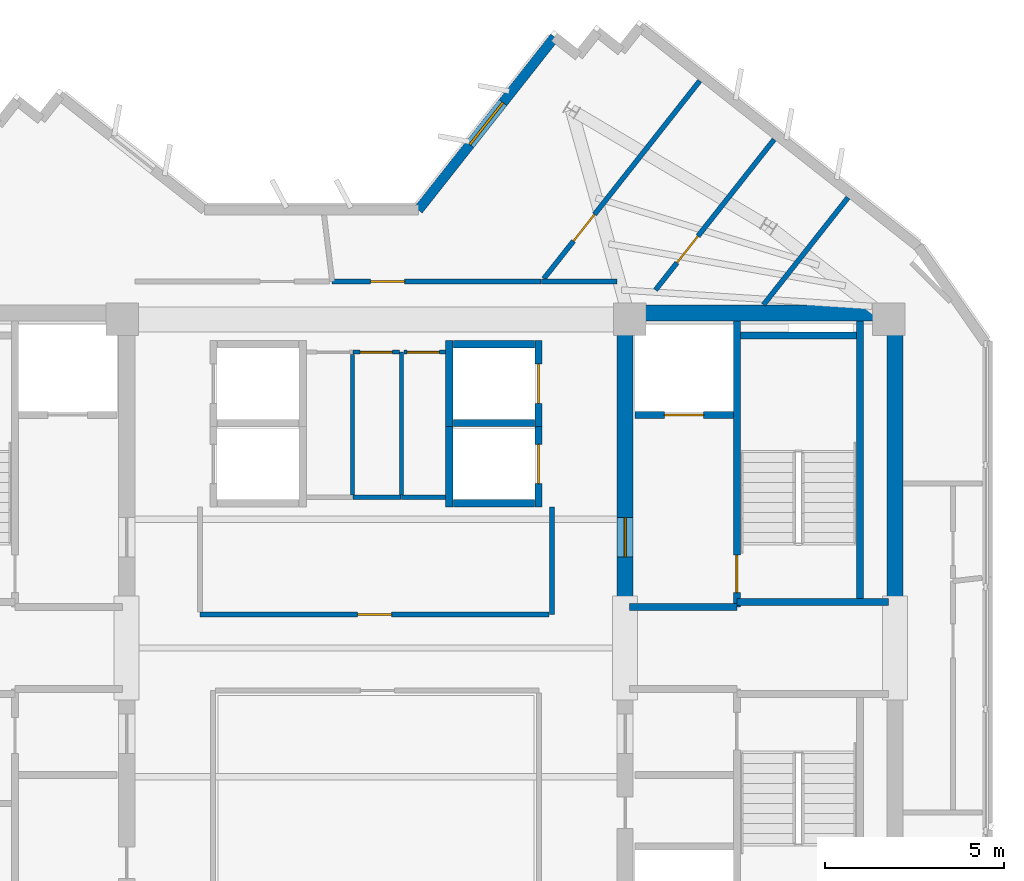
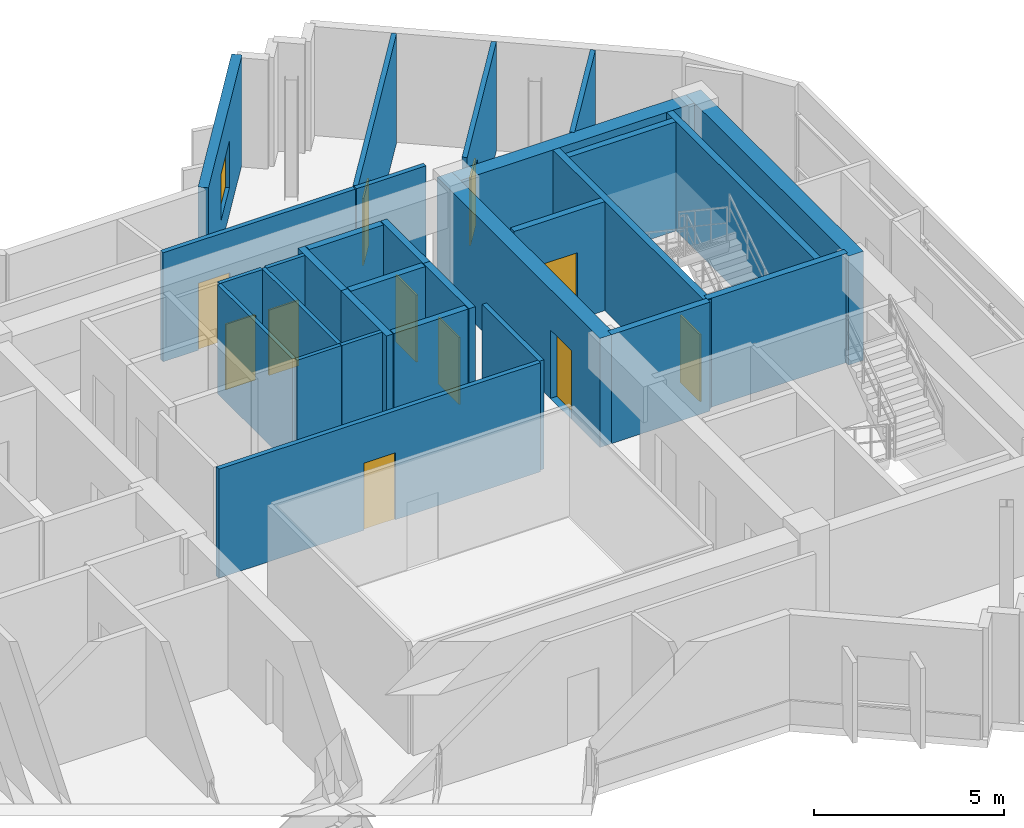
# One storey, part 7 of 10: 30 walls, 11 doors, 1 window, 12 openings.
"""IFC4 building model written with IfcOpenShell, lengths in metres."""

import ifcopenshell
import ifcopenshell.guid

model = None  # the IFC model being written
_history = None  # IfcOwnerHistory: only IFC2X3 demands one
_inside = {}  # id of a spatial element -> (the spatial element, [elements in it])
_under = {}  # id of a project, library or spatial element -> (it, [spatial elements below it])
_declared = {}  # id of a project -> (the project, [libraries it declares])
_typed = {}  # id of a type object -> (the type object, [elements of that type])
_made_of = {}  # id of a material, layer set ... -> (it, [elements and type objects made of it])


def new_model(schema):
    """Start an empty IFC model of exactly this schema.

    Asked for "IFC4X3", IfcOpenShell would pick the latest addendum, in which some entities
    have other attributes; the version numbers below select the first issue.
    IFC2X3 requires an IfcOwnerHistory on every rooted entity: one is made here for all.
    """
    global model, _history
    if schema == "IFC4X3":
        model = ifcopenshell.file(schema_version=(4, 3, 0, 0))
    else:
        model = ifcopenshell.file(schema=schema)
    _inside.clear()
    _under.clear()
    _declared.clear()
    _typed.clear()
    _made_of.clear()
    _history = None
    if model.schema == "IFC2X3":
        org = make("IfcOrganization", Name="unknown")
        user = make(
            "IfcPersonAndOrganization",
            ThePerson=make("IfcPerson", FamilyName="unknown"),
            TheOrganization=org,
        )
        app = make(
            "IfcApplication",
            ApplicationDeveloper=org,
            Version="unknown",
            ApplicationFullName="unknown",
            ApplicationIdentifier="unknown",
        )
        _history = make(
            "IfcOwnerHistory",
            OwningUser=user,
            OwningApplication=app,
            ChangeAction="ADDED",
            CreationDate=0,
        )
    return model


def make(cls, **values):
    """One entity of the class cls with the attributes given. An attribute that is None is left unset."""
    return model.create_entity(
        cls, **{name: value for name, value in values.items() if value is not None}
    )


def rooted(cls, **values):
    """An entity with a GlobalId (a new one), such as an element, a storey or a relation."""
    return make(cls, GlobalId=ifcopenshell.guid.new(), OwnerHistory=_history, **values)


def si_unit(unit_type, name, prefix=None):
    """IfcSIUnit, for example si_unit("LENGTHUNIT", "METRE", prefix="MILLI")."""
    return make("IfcSIUnit", UnitType=unit_type, Prefix=prefix, Name=name)


def assignment(units):
    """IfcUnitAssignment: the units of a project."""
    return None if units is None else make("IfcUnitAssignment", Units=units)


def point(xyz):
    """IfcCartesianPoint."""
    return None if xyz is None else make("IfcCartesianPoint", Coordinates=xyz)


def direction(xyz):
    """IfcDirection."""
    return None if xyz is None else make("IfcDirection", DirectionRatios=xyz)


def frame(location, z_axis=None, x_axis=None):
    """IfcAxis2Placement3D, a coordinate frame: its origin and axes. An axis left out is left unset."""
    return make(
        "IfcAxis2Placement3D",
        Location=point(location),
        Axis=direction(z_axis),
        RefDirection=direction(x_axis),
    )


def frame_2d(location, x_axis=None):
    """IfcAxis2Placement2D, a coordinate frame in the plane: its origin and x axis."""
    return make(
        "IfcAxis2Placement2D", Location=point(location), RefDirection=direction(x_axis)
    )


def origin():
    """The frame at (0, 0, 0) with its axes left unset."""
    return frame((0.0, 0.0, 0.0))


def place(relative_to, where):
    """IfcLocalPlacement: puts the frame where relative to a parent placement (None: the world)."""
    return make(
        "IfcLocalPlacement", PlacementRelTo=relative_to, RelativePlacement=where
    )


def context(
    kind, dimensions, precision=None, world=None, true_north=None, identifier=None
):
    """IfcGeometricRepresentationContext, for example the 3D "Model" context."""
    return make(
        "IfcGeometricRepresentationContext",
        ContextIdentifier=identifier,
        ContextType=kind,
        CoordinateSpaceDimension=dimensions,
        Precision=precision,
        WorldCoordinateSystem=world,
        TrueNorth=true_north,
    )


def subcontext(parent, identifier, kind, view, scale=None):
    """IfcGeometricRepresentationSubContext, for example "Body" below "Model"."""
    return make(
        "IfcGeometricRepresentationSubContext",
        ContextIdentifier=identifier,
        ContextType=kind,
        ParentContext=parent,
        TargetScale=scale,
        TargetView=view,
    )


def project(units=None, contexts=None):
    """IfcProject with its units and contexts."""
    return rooted(
        "IfcProject",
        Name="project",
        RepresentationContexts=contexts,
        UnitsInContext=assignment(units),
    )


def spatial(cls, under=None, at=None, **own):
    """A site, building, storey or space (cls), placed at a placement, below another one or the project."""
    s = rooted(cls, ObjectPlacement=at, **own)
    if under is not None:
        _under.setdefault(under.id(), (under, []))[1].append(s)
    return s


def profile(cls, at=None, kind="AREA", **sizes):
    """A parametric profile (cls). Its sizes go by their IFC names, for example OverallWidth=200.0."""
    return make(cls, ProfileType=kind, Position=at, **sizes)


def rectangle(**sizes):
    """IfcRectangleProfileDef."""
    return profile("IfcRectangleProfileDef", **sizes)


def extrude(swept, where, along, depth):
    """IfcExtrudedAreaSolid: the profile swept, set in the frame where, extruded along a direction by depth."""
    return make(
        "IfcExtrudedAreaSolid",
        SweptArea=swept,
        Position=where,
        ExtrudedDirection=direction(along),
        Depth=depth,
    )


def shape(context_of_items, identifier, shape_type, items):
    """IfcShapeRepresentation: the items that make up one representation, for example the "Body"."""
    return make(
        "IfcShapeRepresentation",
        ContextOfItems=context_of_items,
        RepresentationIdentifier=identifier,
        RepresentationType=shape_type,
        Items=items,
    )


def source(mapping_origin, context_of_items, identifier, shape_type, items):
    """IfcRepresentationMap: a shape defined once, which mapped items show again and again."""
    return make(
        "IfcRepresentationMap",
        MappingOrigin=mapping_origin,
        MappedRepresentation=shape(context_of_items, identifier, shape_type, items),
    )


def transform(
    local_origin,
    x_axis=None,
    y_axis=None,
    z_axis=None,
    scale=None,
    scale2=None,
    scale3=None,
    uniform=True,
):
    """IfcCartesianTransformationOperator3D, or its non-uniform kind. x_axis, y_axis, z_axis: its Axis1, 2, 3."""
    if uniform:
        return make(
            "IfcCartesianTransformationOperator3D",
            Axis1=direction(x_axis),
            Axis2=direction(y_axis),
            LocalOrigin=point(local_origin),
            Scale=scale,
            Axis3=direction(z_axis),
        )
    return make(
        "IfcCartesianTransformationOperator3DnonUniform",
        Axis1=direction(x_axis),
        Axis2=direction(y_axis),
        LocalOrigin=point(local_origin),
        Scale=scale,
        Axis3=direction(z_axis),
        Scale2=scale2,
        Scale3=scale3,
    )


def mapped(mapping_source, mapping_target):
    """IfcMappedItem: shows the shape of a source again, moved by a transform."""
    return make(
        "IfcMappedItem", MappingSource=mapping_source, MappingTarget=mapping_target
    )


def material(Name=None, Category=None):
    """IfcMaterial."""
    return make("IfcMaterial", Name=Name, Category=Category)


def layer(
    of_material, thickness, ventilated=None, Name=None, Category=None, Priority=None
):
    """IfcMaterialLayer: one layer of a wall or slab, of a material (None: an air gap)."""
    return make(
        "IfcMaterialLayer",
        Material=of_material,
        LayerThickness=thickness,
        IsVentilated=ventilated,
        Name=Name,
        Category=Category,
        Priority=Priority,
    )


def layer_set(layers, Name=None):
    """IfcMaterialLayerSet."""
    return make("IfcMaterialLayerSet", MaterialLayers=layers, LayerSetName=Name)


def made_of(thing, what):
    """Note that an element or type object is made of a material, layer set ...; save() writes the relation."""
    if what is not None:
        _made_of.setdefault(what.id(), (what, []))[1].append(thing)
    return thing


def type_object(cls, material=None, **own):
    """A type object (cls), such as IfcWallType, which elements share."""
    return made_of(rooted(cls, **own), material)


def element(
    cls,
    number,
    at=None,
    inside=None,
    cuts=None,
    type_object=None,
    material=None,
    context=None,
    identifier="Body",
    shape_type=None,
    held_by="IfcProductDefinitionShape",
    body=None,
    shapes=None,
    **own,
):
    """One element of the class cls, such as IfcWall. Its Tag is "e" and its number.

    at: its placement. inside: the storey or other place that contains it. cuts: it is an
    opening in that element (IfcRelVoidsElement). A single representation is given by context,
    identifier, shape_type and body (its items); several are given by shapes. held_by: the class
    of the entity that holds the representations. save() writes the other relations.
    """
    e = rooted(cls, Tag="e%d" % number, ObjectPlacement=at, **own)
    if body is not None:
        shapes = [shape(context, identifier, shape_type, body)]
    if shapes is not None:
        e.Representation = make(held_by, Representations=shapes)
    if inside is not None:
        _inside.setdefault(inside.id(), (inside, []))[1].append(e)
    if cuts is not None:
        rooted(
            "IfcRelVoidsElement", RelatingBuildingElement=cuts, RelatedOpeningElement=e
        )
    if type_object is not None:
        _typed.setdefault(type_object.id(), (type_object, []))[1].append(e)
    return made_of(e, material)


def fill(opening, filler):
    """IfcRelFillsElement: the door or window that sits in an opening."""
    return rooted(
        "IfcRelFillsElement",
        RelatingOpeningElement=opening,
        RelatedBuildingElement=filler,
    )


def aggregate(whole, parts):
    """IfcRelAggregates: a whole, such as a stair, and the parts it consists of."""
    return rooted("IfcRelAggregates", RelatingObject=whole, RelatedObjects=parts)


def save(model, path):
    """Write the relations noted so far, then the file.

    IfcRelAggregates (storeys below a building ...), IfcRelContainedInSpatialStructure (elements
    in a storey), IfcRelDefinesByType, IfcRelAssociatesMaterial and IfcRelDeclares: one each for
    every whole, place, type object, material and project.
    """
    for whole, parts in _under.values():
        aggregate(whole, parts)
    for where, things in _inside.values():
        rooted(
            "IfcRelContainedInSpatialStructure",
            RelatedElements=things,
            RelatingStructure=where,
        )
    for kind, things in _typed.values():
        rooted("IfcRelDefinesByType", RelatedObjects=things, RelatingType=kind)
    for what, things in _made_of.values():
        rooted("IfcRelAssociatesMaterial", RelatedObjects=things, RelatingMaterial=what)
    for by, libraries in _declared.values():
        rooted("IfcRelDeclares", RelatingContext=by, RelatedDefinitions=libraries)
    model.write(path)


model = new_model("IFC4")

# Units and contexts
model_context = context("Model", 3, precision=1e-05, world=origin(), true_north=direction((0.0, 1.0)))
body_context = subcontext(model_context, "Body", "Model", "MODEL_VIEW")
ifc_project = project(units=[si_unit("LENGTHUNIT", "METRE"), si_unit("AREAUNIT", "SQUARE_METRE"), si_unit("VOLUMEUNIT", "CUBIC_METRE"), si_unit("PLANEANGLEUNIT", "RADIAN"), si_unit("MASSUNIT", "GRAM", prefix="KILO")], contexts=[model_context])

# Site, building, storey
site_placement = place(None, origin())
site = spatial("IfcSite", under=ifc_project, at=site_placement, CompositionType="ELEMENT")
building_placement = place(site_placement, origin())
building = spatial("IfcBuilding", under=site, at=building_placement, Name="Zahravan Cultural Tower", CompositionType="ELEMENT")
storey_placement = place(building_placement, frame((0.0, 0.0, 327.300048828125)))
storey = spatial("IfcBuildingStorey", under=building, at=storey_placement, Name="L79", CompositionType="ELEMENT", Elevation=327.300048828125)

# Wall, opening, door
ifc_material_1 = material(Name="Concrete C50/60", Category="concrete")
ifc_layer_1 = layer(ifc_material_1, 0.449951171875)
ifc_layer_set_1 = layer_set([ifc_layer_1], Name="Concrete C50/60")
wall_type_1 = type_object("IfcWallType", Name="CW-SHEAR-450-C50", PredefinedType="SHEAR", material=ifc_layer_set_1)
wall_1_placement = place(storey_placement, frame((42.97509765625, 28.050048828125, 0.0), z_axis=(0.0, 0.0, 1.0), x_axis=(0.0, 1.0, 0.0)))
wall_1 = element("IfcWall", 1, at=wall_1_placement, inside=storey, type_object=wall_type_1, Name="L79 Core Shear Wall CW-E-WN-L79", PredefinedType="SHEAR", context=body_context, shape_type="SweptSolid", body=[
    extrude(rectangle(XDim=8.550048828125, YDim=0.449951171875, at=frame_2d((4.27490234375, 0.0))), origin(), (0.0, 0.0, 1.0), 3.5),
])
opening_1_placement = place(wall_1_placement, frame((1.5, 0.0, 0.0)))
opening_1 = element("IfcOpeningElement", 2, at=opening_1_placement, cuts=wall_1, Name="Opening D-L79-07", PredefinedType="OPENING", context=body_context, shape_type="SweptSolid", body=[
    extrude(rectangle(XDim=1.10009765625, YDim=2.199951171875, at=frame_2d((0.550048828125, 1.10009765625))), frame((0.0, 0.23486328125, 0.0), z_axis=(0.0, -1.0, 0.0), x_axis=(1.0, 0.0, 0.0)), (0.0, 0.0, 1.0), 0.469970703125),
])
ifc_material_2 = material(Name="Steel ASTM A572 Grade 50", Category="steel")
door_type_1 = type_object("IfcDoorType", Name="DR-LOBBY-1100", OperationType="NOTDEFINED", PredefinedType="DOOR", material=ifc_material_2)
shared_shape_1 = source(origin(), body_context, "Body", "SweptSolid", [
    extrude(rectangle(XDim=1.10009765625, YDim=2.199951171875, at=frame_2d((0.550048828125, 1.10009765625))), frame((0.0, 0.02490234375, 0.0), z_axis=(0.0, -1.0, 0.0), x_axis=(1.0, 0.0, 0.0)), (0.0, 0.0, 1.0), 0.050048828125),
])
door_1_placement = place(opening_1_placement, origin())
door_1 = element("IfcDoor", 3, at=door_1_placement, inside=storey, type_object=door_type_1, Name="L79 Door D-L79-07", OperationType="SINGLE_SWING_LEFT", OverallHeight=2.199951171875, OverallWidth=1.10009765625, PredefinedType="DOOR", context=body_context, shape_type="MappedRepresentation", body=[
    mapped(shared_shape_1, transform((0.0, 0.0, 0.0), x_axis=(1.0, 0.0, 0.0), y_axis=(0.0, 1.0, 0.0), z_axis=(0.0, 0.0, 1.0), scale=1.0)),
])
fill(opening_1, door_1)

# Wall, opening, window
ifc_material_3 = material(Name="Precast concrete C40/50", Category="concrete")
ifc_layer_2 = layer(ifc_material_3, 0.280029296875)
ifc_layer_set_2 = layer_set([ifc_layer_2], Name="Precast concrete C40/50")
wall_type_2 = type_object("IfcWallType", Name="EW-TC-280", PredefinedType="SOLIDWALL", material=ifc_layer_set_2)
wall_2_placement = place(storey_placement, frame((37.184326171875, 39.260009765625, 0.0), z_axis=(0.0, 0.0, 1.0), x_axis=(0.619100474058, 0.78531178714, 0.0)))
wall_2 = element("IfcWall", 4, at=wall_2_placement, inside=storey, type_object=wall_type_2, Name="L79 Exterior Masonry Frame Wall 09", PredefinedType="SOLIDWALL", context=body_context, shape_type="SweptSolid", body=[
    extrude(rectangle(XDim=6.158935546875, YDim=0.280029296875, at=frame_2d((3.07958984375, 0.0))), origin(), (0.0, 0.0, 1.0), 3.5),
])
opening_2_placement = place(wall_2_placement, frame((2.3291015625, 0.0, 0.85009765625)))
opening_2 = element("IfcOpeningElement", 5, at=opening_2_placement, cuts=wall_2, Name="Opening WN-03", PredefinedType="OPENING", context=body_context, shape_type="SweptSolid", body=[
    extrude(rectangle(XDim=1.5, YDim=1.5, at=frame_2d((0.75, 0.75))), frame((0.0, 0.14990234375, 0.0), z_axis=(0.0, -1.0, 0.0), x_axis=(1.0, 0.0, 0.0)), (0.0, 0.0, 1.0), 0.300048828125),
])
ifc_material_4 = material(Name="Low-E solar-control double glazing", Category="glass")
window_type = type_object("IfcWindowType", Name="WN-REC-1500X1500", PartitioningType="SINGLE_PANEL", PredefinedType="WINDOW", material=ifc_material_4)
shared_shape_2 = source(origin(), body_context, "Body", "SweptSolid", [
    extrude(rectangle(XDim=1.5, YDim=1.5, at=frame_2d((0.75, 0.75))), frame((0.0, 0.030029296875, 0.0), z_axis=(0.0, -1.0, 0.0), x_axis=(1.0, 0.0, 0.0)), (0.0, 0.0, 1.0), 0.06005859375),
])
window_placement = place(opening_2_placement, origin())
window = element("IfcWindow", 6, at=window_placement, inside=storey, type_object=window_type, Name="L79 Recessed Solar Window 04", OverallHeight=1.5, OverallWidth=1.5, PartitioningType="SINGLE_PANEL", PredefinedType="WINDOW", context=body_context, shape_type="MappedRepresentation", body=[
    mapped(shared_shape_2, transform((0.0, 0.0, 0.0), x_axis=(1.0, 0.0, 0.0), y_axis=(0.0, 1.0, 0.0), z_axis=(0.0, 0.0, 1.0), scale=1.0)),
])
fill(opening_2, window)

# Wall, opening, door
ifc_material_5 = material(Name="Gypsum plasterboard partition")
ifc_layer_3 = layer(ifc_material_5, 0.139892578125)
ifc_layer_set_3 = layer_set([ifc_layer_3], Name="Gypsum plasterboard partition")
wall_type_3 = type_object("IfcWallType", Name="W-PART-140", PredefinedType="PARTITIONING", material=ifc_layer_set_3)
wall_3_placement = place(storey_placement, frame((43.82275390625, 37.02001953125, 0.0), z_axis=(0.0, 0.0, 1.0), x_axis=(0.619105408422, 0.785307897109, 0.0)))
wall_3 = element("IfcWall", 7, at=wall_3_placement, inside=storey, type_object=wall_type_3, Name="L79 Interior Wall 050", PredefinedType="PARTITIONING", context=body_context, shape_type="SweptSolid", body=[
    extrude(rectangle(XDim=5.363037109375, YDim=0.139892578125, at=frame_2d((2.681640625, 0.0))), origin(), (0.0, 0.0, 1.0), 3.5),
])
opening_3_placement = place(wall_3_placement, frame((0.970947265625, 0.0, 0.0)))
opening_3 = element("IfcOpeningElement", 8, at=opening_3_placement, cuts=wall_3, Name="Opening D-L79-26", PredefinedType="OPENING", context=body_context, shape_type="SweptSolid", body=[
    extrude(rectangle(XDim=0.949951171875, YDim=2.14990234375, at=frame_2d((0.47509765625, 1.074951171875))), frame((0.0, 0.079833984375, 0.0), z_axis=(0.0, -1.0, 0.0), x_axis=(1.0, 0.0, 0.0)), (0.0, 0.0, 1.0), 0.159912109375),
])
ifc_material_6 = material(Name="Anodised bronze-aluminium mullion", Category="aluminium")
door_type_2 = type_object("IfcDoorType", Name="DR-ROOM-950", OperationType="NOTDEFINED", PredefinedType="DOOR", material=ifc_material_6)
shared_shape_3 = source(origin(), body_context, "Body", "SweptSolid", [
    extrude(rectangle(XDim=0.949951171875, YDim=2.14990234375, at=frame_2d((0.47509765625, 1.074951171875))), frame((0.0, 0.02490234375, 0.0), z_axis=(0.0, -1.0, 0.0), x_axis=(1.0, 0.0, 0.0)), (0.0, 0.0, 1.0), 0.050048828125),
])
door_2_placement = place(opening_3_placement, origin())
door_2 = element("IfcDoor", 9, at=door_2_placement, inside=storey, type_object=door_type_2, Name="L79 Door D-L79-26", OperationType="SINGLE_SWING_RIGHT", OverallHeight=2.14990234375, OverallWidth=0.949951171875, PredefinedType="DOOR", context=body_context, shape_type="MappedRepresentation", body=[
    mapped(shared_shape_3, transform((0.0, 0.0, 0.0), x_axis=(1.0, 0.0, 0.0), y_axis=(0.0, 1.0, 0.0), z_axis=(0.0, 0.0, 1.0), scale=1.0)),
])
fill(opening_3, door_2)

wall_4_placement = place(storey_placement, frame((40.69677734375, 37.335205078125, 0.0), z_axis=(0.0, 0.0, 1.0), x_axis=(0.619105259882, 0.785308014213, 0.0)))
wall_4 = element("IfcWall", 10, at=wall_4_placement, inside=storey, type_object=wall_type_3, Name="L79 Interior Wall 054", PredefinedType="PARTITIONING", context=body_context, shape_type="SweptSolid", body=[
    extrude(rectangle(XDim=7.05078125, YDim=0.139892578125, at=frame_2d((3.525390625, 0.0))), origin(), (0.0, 0.0, 1.0), 3.5),
])
opening_4_placement = place(wall_4_placement, frame((1.34228515625, 0.0, 0.0)))
opening_4 = element("IfcOpeningElement", 11, at=opening_4_placement, cuts=wall_4, Name="Opening D-L79-24", PredefinedType="OPENING", context=body_context, shape_type="SweptSolid", body=[
    extrude(rectangle(XDim=0.949951171875, YDim=2.14990234375, at=frame_2d((0.47509765625, 1.074951171875))), frame((0.0, 0.079833984375, 0.0), z_axis=(0.0, -1.0, 0.0), x_axis=(1.0, 0.0, 0.0)), (0.0, 0.0, 1.0), 0.159912109375),
])
door_3_placement = place(opening_4_placement, origin())
door_3 = element("IfcDoor", 12, at=door_3_placement, inside=storey, type_object=door_type_2, Name="L79 Door D-L79-24", OperationType="SINGLE_SWING_RIGHT", OverallHeight=2.14990234375, OverallWidth=0.949951171875, PredefinedType="DOOR", context=body_context, shape_type="MappedRepresentation", body=[
    mapped(shared_shape_3, transform((0.0, 0.0, 0.0), x_axis=(1.0, 0.0, 0.0), y_axis=(0.0, 1.0, 0.0), z_axis=(0.0, 0.0, 1.0), scale=1.0)),
])
fill(opening_4, door_3)

wall_5_placement = place(storey_placement, frame((40.844970703125, 27.93994140625, 0.0), z_axis=(0.0, 0.0, 1.0), x_axis=(-1.0, 0.0, 0.0)))
wall_5 = element("IfcWall", 13, at=wall_5_placement, inside=storey, type_object=wall_type_3, Name="L79 Interior Wall 074", PredefinedType="PARTITIONING", context=body_context, shape_type="SweptSolid", body=[
    extrude(rectangle(XDim=9.764892578125, YDim=0.139892578125, at=frame_2d((4.88232421875, 0.0))), origin(), (0.0, 0.0, 1.0), 3.5),
])
opening_5_placement = place(wall_5_placement, frame((4.407470703125, 0.0, 0.0)))
opening_5 = element("IfcOpeningElement", 14, at=opening_5_placement, cuts=wall_5, Name="Opening D-L79-16", PredefinedType="OPENING", context=body_context, shape_type="SweptSolid", body=[
    extrude(rectangle(XDim=0.949951171875, YDim=2.14990234375, at=frame_2d((0.47509765625, 1.074951171875))), frame((0.0, 0.079833984375, 0.0), z_axis=(0.0, -1.0, 0.0), x_axis=(1.0, 0.0, 0.0)), (0.0, 0.0, 1.0), 0.159912109375),
])
door_4_placement = place(opening_5_placement, origin())
door_4 = element("IfcDoor", 15, at=door_4_placement, inside=storey, type_object=door_type_2, Name="L79 Door D-L79-16", OperationType="SINGLE_SWING_RIGHT", OverallHeight=2.14990234375, OverallWidth=0.949951171875, PredefinedType="DOOR", context=body_context, shape_type="MappedRepresentation", body=[
    mapped(shared_shape_3, transform((0.0, 0.0, 0.0), x_axis=(1.0, 0.0, 0.0), y_axis=(0.0, 1.0, 0.0), z_axis=(0.0, 0.0, 1.0), scale=1.0)),
])
fill(opening_5, door_4)

wall_6_placement = place(storey_placement, frame((40.612060546875, 37.260009765625, 0.0), z_axis=(0.0, 0.0, 1.0), x_axis=(-1.0, 0.0, 0.0)))
wall_6 = element("IfcWall", 16, at=wall_6_placement, inside=storey, type_object=wall_type_3, Name="L79 Interior Wall 076", PredefinedType="PARTITIONING", context=body_context, shape_type="SweptSolid", body=[
    extrude(rectangle(XDim=5.836669921875, YDim=0.139892578125, at=frame_2d((2.91845703125, 0.0))), origin(), (0.0, 0.0, 1.0), 3.5),
])
opening_6_placement = place(wall_6_placement, frame((3.8115234375, 0.0, 0.0)))
opening_6 = element("IfcOpeningElement", 17, at=opening_6_placement, cuts=wall_6, Name="Opening D-L79-18", PredefinedType="OPENING", context=body_context, shape_type="SweptSolid", body=[
    extrude(rectangle(XDim=0.949951171875, YDim=2.14990234375, at=frame_2d((0.47509765625, 1.074951171875))), frame((0.0, 0.079833984375, 0.0), z_axis=(0.0, -1.0, 0.0), x_axis=(1.0, 0.0, 0.0)), (0.0, 0.0, 1.0), 0.159912109375),
])
door_5_placement = place(opening_6_placement, origin())
door_5 = element("IfcDoor", 18, at=door_5_placement, inside=storey, type_object=door_type_2, Name="L79 Door D-L79-18", OperationType="SINGLE_SWING_RIGHT", OverallHeight=2.14990234375, OverallWidth=0.949951171875, PredefinedType="DOOR", context=body_context, shape_type="MappedRepresentation", body=[
    mapped(shared_shape_3, transform((0.0, 0.0, 0.0), x_axis=(1.0, 0.0, 0.0), y_axis=(0.0, 1.0, 0.0), z_axis=(0.0, 0.0, 1.0), scale=1.0)),
])
fill(opening_6, door_5)

ifc_material_7 = material(Name="Concrete C45/55", Category="concrete")
ifc_layer_4 = layer(ifc_material_7, 0.199951171875)
ifc_layer_set_4 = layer_set([ifc_layer_4], Name="Concrete C45/55")
wall_type_4 = type_object("IfcWallType", Name="W-SHAFT-200", PredefinedType="SOLIDWALL", material=ifc_layer_set_4)
wall_7_placement = place(storey_placement, frame((46.10009765625, 28.14990234375, 0.0), z_axis=(0.0, 0.0, 1.0), x_axis=(0.0, 1.0, 0.0)))
wall_7 = element("IfcWall", 19, at=wall_7_placement, inside=storey, type_object=wall_type_4, Name="L79 Interior Wall 008", PredefinedType="SOLIDWALL", context=body_context, shape_type="SweptSolid", body=[
    extrude(rectangle(XDim=8.0, YDim=0.199951171875, at=frame_2d((4.0, 0.0))), origin(), (0.0, 0.0, 1.0), 3.5),
])
opening_7_placement = place(wall_7_placement, frame((0.39990234375, 0.0, 0.0)))
opening_7 = element("IfcOpeningElement", 20, at=opening_7_placement, cuts=wall_7, Name="Opening D-L79-02", PredefinedType="OPENING", context=body_context, shape_type="SweptSolid", body=[
    extrude(rectangle(XDim=1.050048828125, YDim=2.14990234375, at=frame_2d((0.52490234375, 1.074951171875))), frame((0.0, 0.10986328125, 0.0), z_axis=(0.0, -1.0, 0.0), x_axis=(1.0, 0.0, 0.0)), (0.0, 0.0, 1.0), 0.219970703125),
])
door_type_3 = type_object("IfcDoorType", Name="DR-STAIR-1050", OperationType="NOTDEFINED", PredefinedType="DOOR", material=ifc_material_2)
shared_shape_4 = source(origin(), body_context, "Body", "SweptSolid", [
    extrude(rectangle(XDim=1.050048828125, YDim=2.14990234375, at=frame_2d((0.52490234375, 1.074951171875))), frame((0.0, 0.02490234375, 0.0), z_axis=(0.0, -1.0, 0.0), x_axis=(1.0, 0.0, 0.0)), (0.0, 0.0, 1.0), 0.050048828125),
])
door_6_placement = place(opening_7_placement, origin())
door_6 = element("IfcDoor", 21, at=door_6_placement, inside=storey, type_object=door_type_3, Name="L79 Door D-L79-02", OperationType="SINGLE_SWING_RIGHT", OverallHeight=2.14990234375, OverallWidth=1.050048828125, PredefinedType="DOOR", context=body_context, shape_type="MappedRepresentation", body=[
    mapped(shared_shape_4, transform((0.0, 0.0, 0.0), x_axis=(1.0, 0.0, 0.0), y_axis=(0.0, 1.0, 0.0), z_axis=(0.0, 0.0, 1.0), scale=1.0)),
])
fill(opening_7, door_6)

wall_8_placement = place(storey_placement, frame((43.25, 33.52001953125, 0.0), z_axis=(0.0, 0.0, 1.0), x_axis=(1.0, 0.0, 0.0)))
wall_8 = element("IfcWall", 22, at=wall_8_placement, inside=storey, type_object=wall_type_4, Name="L79 Interior Wall 023", PredefinedType="SOLIDWALL", context=body_context, shape_type="SweptSolid", body=[
    extrude(rectangle(XDim=2.75, YDim=0.199951171875, at=frame_2d((1.375, 0.0))), origin(), (0.0, 0.0, 1.0), 3.5),
])
opening_8_placement = place(wall_8_placement, frame((0.820068359375, 0.0, 0.0)))
opening_8 = element("IfcOpeningElement", 23, at=opening_8_placement, cuts=wall_8, Name="Opening LD-L79-02", PredefinedType="OPENING", context=body_context, shape_type="SweptSolid", body=[
    extrude(rectangle(XDim=1.10009765625, YDim=2.14990234375, at=frame_2d((0.550048828125, 1.074951171875))), frame((0.0, 0.10986328125, 0.0), z_axis=(0.0, -1.0, 0.0), x_axis=(1.0, 0.0, 0.0)), (0.0, 0.0, 1.0), 0.219970703125),
])
door_type_4 = type_object("IfcDoorType", Name="DR-LIFT-1100", OperationType="DOUBLE_DOOR_SLIDING", PredefinedType="DOOR", material=ifc_material_2)
shared_shape_5 = source(origin(), body_context, "Body", "SweptSolid", [
    extrude(rectangle(XDim=1.10009765625, YDim=2.14990234375, at=frame_2d((0.550048828125, 1.074951171875))), frame((0.0, 0.02490234375, 0.0), z_axis=(0.0, -1.0, 0.0), x_axis=(1.0, 0.0, 0.0)), (0.0, 0.0, 1.0), 0.050048828125),
])
door_7_placement = place(opening_8_placement, origin())
door_7 = element("IfcDoor", 24, at=door_7_placement, inside=storey, type_object=door_type_4, Name="L79 Door LD-L79-02", OperationType="DOUBLE_DOOR_SLIDING", OverallHeight=2.14990234375, OverallWidth=1.10009765625, PredefinedType="DOOR", context=body_context, shape_type="MappedRepresentation", body=[
    mapped(shared_shape_5, transform((0.0, 0.0, 0.0), x_axis=(1.0, 0.0, 0.0), y_axis=(0.0, 1.0, 0.0), z_axis=(0.0, 0.0, 1.0), scale=1.0)),
])
fill(opening_8, door_7)

wall_9_placement = place(storey_placement, frame((40.550048828125, 33.199951171875, 0.0), z_axis=(0.0, 0.0, 1.0), x_axis=(0.0, 1.0, 0.0)))
wall_9 = element("IfcWall", 25, at=wall_9_placement, inside=storey, type_object=wall_type_4, Name="L79 Interior Wall 035", PredefinedType="SOLIDWALL", context=body_context, shape_type="SweptSolid", body=[
    extrude(rectangle(XDim=2.400146484375, YDim=0.199951171875, at=frame_2d((1.2001953125, 0.0))), origin(), (0.0, 0.0, 1.0), 3.5),
])
opening_9_placement = place(wall_9_placement, frame((0.64990234375, 0.0, 0.0)))
opening_9 = element("IfcOpeningElement", 26, at=opening_9_placement, cuts=wall_9, Name="Opening LD-L79-06", PredefinedType="OPENING", context=body_context, shape_type="SweptSolid", body=[
    extrude(rectangle(XDim=1.10009765625, YDim=2.14990234375, at=frame_2d((0.550048828125, 1.074951171875))), frame((0.0, 0.10986328125, 0.0), z_axis=(0.0, -1.0, 0.0), x_axis=(1.0, 0.0, 0.0)), (0.0, 0.0, 1.0), 0.219970703125),
])
door_8_placement = place(opening_9_placement, origin())
door_8 = element("IfcDoor", 27, at=door_8_placement, inside=storey, type_object=door_type_4, Name="L79 Door LD-L79-06", OperationType="DOUBLE_DOOR_SLIDING", OverallHeight=2.14990234375, OverallWidth=1.10009765625, PredefinedType="DOOR", context=body_context, shape_type="MappedRepresentation", body=[
    mapped(shared_shape_5, transform((0.0, 0.0, 0.0), x_axis=(1.0, 0.0, 0.0), y_axis=(0.0, 1.0, 0.0), z_axis=(0.0, 0.0, 1.0), scale=1.0)),
])
fill(opening_9, door_8)

wall_10_placement = place(storey_placement, frame((40.550048828125, 30.949951171875, 0.0), z_axis=(0.0, 0.0, 1.0), x_axis=(0.0, 1.0, 0.0)))
wall_10 = element("IfcWall", 28, at=wall_10_placement, inside=storey, type_object=wall_type_4, Name="L79 Interior Wall 039", PredefinedType="SOLIDWALL", context=body_context, shape_type="SweptSolid", body=[
    extrude(rectangle(XDim=2.400146484375, YDim=0.199951171875, at=frame_2d((1.2001953125, 0.0))), origin(), (0.0, 0.0, 1.0), 3.5),
])
opening_10_placement = place(wall_10_placement, frame((0.64990234375, 0.0, 0.0)))
opening_10 = element("IfcOpeningElement", 29, at=opening_10_placement, cuts=wall_10, Name="Opening LD-L79-07", PredefinedType="OPENING", context=body_context, shape_type="SweptSolid", body=[
    extrude(rectangle(XDim=1.10009765625, YDim=2.14990234375, at=frame_2d((0.550048828125, 1.074951171875))), frame((0.0, 0.10986328125, 0.0), z_axis=(0.0, -1.0, 0.0), x_axis=(1.0, 0.0, 0.0)), (0.0, 0.0, 1.0), 0.219970703125),
])
door_9_placement = place(opening_10_placement, origin())
door_9 = element("IfcDoor", 30, at=door_9_placement, inside=storey, type_object=door_type_4, Name="L79 Door LD-L79-07", OperationType="DOUBLE_DOOR_SLIDING", OverallHeight=2.14990234375, OverallWidth=1.10009765625, PredefinedType="DOOR", context=body_context, shape_type="MappedRepresentation", body=[
    mapped(shared_shape_5, transform((0.0, 0.0, 0.0), x_axis=(1.0, 0.0, 0.0), y_axis=(0.0, 1.0, 0.0), z_axis=(0.0, 0.0, 1.0), scale=1.0)),
])
fill(opening_10, door_9)

ifc_layer_5 = layer(ifc_material_5, 0.114990234375)
ifc_layer_set_5 = layer_set([ifc_layer_5], Name="Gypsum plasterboard partition")
wall_type_5 = type_object("IfcWallType", Name="W-WC-115", PredefinedType="PARTITIONING", material=ifc_layer_set_5)
wall_11_placement = place(storey_placement, frame((36.782470703125, 35.280029296875, 0.0), z_axis=(0.0, 0.0, 1.0), x_axis=(1.0, 0.0, 0.0)))
wall_11 = element("IfcWall", 31, at=wall_11_placement, inside=storey, type_object=wall_type_5, Name="L79 Interior Wall 043", PredefinedType="PARTITIONING", context=body_context, shape_type="SweptSolid", body=[
    extrude(rectangle(XDim=1.16259765625, YDim=0.114990234375, at=frame_2d((0.581298828125, 0.0))), origin(), (0.0, 0.0, 1.0), 3.5),
])
opening_11_placement = place(wall_11_placement, frame((0.0888671875, 0.0, 0.0)))
opening_11 = element("IfcOpeningElement", 32, at=opening_11_placement, cuts=wall_11, Name="Opening D-L79-15", PredefinedType="OPENING", context=body_context, shape_type="SweptSolid", body=[
    extrude(rectangle(XDim=0.89990234375, YDim=2.10009765625, at=frame_2d((0.449951171875, 1.050048828125))), frame((0.0, 0.0673828125, 0.0), z_axis=(0.0, -1.0, 0.0), x_axis=(1.0, 0.0, 0.0)), (0.0, 0.0, 1.0), 0.135009765625),
])
door_type_5 = type_object("IfcDoorType", Name="DR-WC-900", OperationType="NOTDEFINED", PredefinedType="DOOR", material=ifc_material_6)
shared_shape_6 = source(origin(), body_context, "Body", "SweptSolid", [
    extrude(rectangle(XDim=0.89990234375, YDim=2.10009765625, at=frame_2d((0.449951171875, 1.050048828125))), frame((0.0, 0.02490234375, 0.0), z_axis=(0.0, -1.0, 0.0), x_axis=(1.0, 0.0, 0.0)), (0.0, 0.0, 1.0), 0.050048828125),
])
door_10_placement = place(opening_11_placement, origin())
door_10 = element("IfcDoor", 33, at=door_10_placement, inside=storey, type_object=door_type_5, Name="L79 Door D-L79-15", OperationType="SINGLE_SWING_LEFT", OverallHeight=2.10009765625, OverallWidth=0.89990234375, PredefinedType="DOOR", context=body_context, shape_type="MappedRepresentation", body=[
    mapped(shared_shape_6, transform((0.0, 0.0, 0.0), x_axis=(1.0, 0.0, 0.0), y_axis=(0.0, 1.0, 0.0), z_axis=(0.0, 0.0, 1.0), scale=1.0)),
])
fill(opening_11, door_10)

wall_12_placement = place(storey_placement, frame((35.360107421875, 35.280029296875, 0.0), z_axis=(0.0, 0.0, 1.0), x_axis=(1.0, 0.0, 0.0)))
wall_12 = element("IfcWall", 34, at=wall_12_placement, inside=storey, type_object=wall_type_5, Name="L79 Interior Wall 048", PredefinedType="PARTITIONING", context=body_context, shape_type="SweptSolid", body=[
    extrude(rectangle(XDim=1.29736328125, YDim=0.114990234375, at=frame_2d((0.648681640625, 0.0))), origin(), (0.0, 0.0, 1.0), 3.5),
])
opening_12_placement = place(wall_12_placement, frame((0.19873046875, 0.0, 0.0)))
opening_12 = element("IfcOpeningElement", 35, at=opening_12_placement, cuts=wall_12, Name="Opening D-L79-14", PredefinedType="OPENING", context=body_context, shape_type="SweptSolid", body=[
    extrude(rectangle(XDim=0.89990234375, YDim=2.10009765625, at=frame_2d((0.449951171875, 1.050048828125))), frame((0.0, 0.0673828125, 0.0), z_axis=(0.0, -1.0, 0.0), x_axis=(1.0, 0.0, 0.0)), (0.0, 0.0, 1.0), 0.135009765625),
])
door_11_placement = place(opening_12_placement, origin())
door_11 = element("IfcDoor", 36, at=door_11_placement, inside=storey, type_object=door_type_5, Name="L79 Door D-L79-14", OperationType="SINGLE_SWING_RIGHT", OverallHeight=2.10009765625, OverallWidth=0.89990234375, PredefinedType="DOOR", context=body_context, shape_type="MappedRepresentation", body=[
    mapped(shared_shape_6, transform((0.0, 0.0, 0.0), x_axis=(1.0, 0.0, 0.0), y_axis=(0.0, 1.0, 0.0), z_axis=(0.0, 0.0, 1.0), scale=1.0)),
])
fill(opening_12, door_11)

# Walls
shared_shape_7 = source(origin(), body_context, "Body", "SweptSolid", [
    extrude(rectangle(XDim=8.550048828125, YDim=0.449951171875, at=frame_2d((4.27490234375, 0.0))), origin(), (0.0, 0.0, 1.0), 3.5),
])
wall_13_placement = place(storey_placement, frame((50.52490234375, 28.050048828125, 0.0), z_axis=(0.0, 0.0, 1.0), x_axis=(0.0, 1.0, 0.0)))
element("IfcWall", 37, at=wall_13_placement, inside=storey, type_object=wall_type_1, Name="L79 Core Shear Wall CW-E-EN-L79", PredefinedType="SHEAR", context=body_context, shape_type="MappedRepresentation", body=[
    mapped(shared_shape_7, transform((0.0, 0.0, 0.0), x_axis=(1.0, 0.0, 0.0), y_axis=(0.0, 1.0, 0.0), z_axis=(0.0, 0.0, 1.0), scale=1.0)),
])
shared_shape_8 = source(origin(), body_context, "Body", "SweptSolid", [
    extrude(rectangle(XDim=7.10009765625, YDim=0.449951171875, at=frame_2d((3.550048828125, 0.0))), origin(), (0.0, 0.0, 1.0), 3.5),
])
wall_14_placement = place(storey_placement, frame((43.199951171875, 36.375, 0.0), z_axis=(0.0, 0.0, 1.0), x_axis=(1.0, 0.0, 0.0)))
element("IfcWall", 38, at=wall_14_placement, inside=storey, type_object=wall_type_1, Name="L79 Core Shear Wall CW-E-N-L79", PredefinedType="SHEAR", context=body_context, shape_type="MappedRepresentation", body=[
    mapped(shared_shape_8, transform((0.0, 0.0, 0.0), x_axis=(1.0, 0.0, 0.0), y_axis=(0.0, 1.0, 0.0), z_axis=(0.0, 0.0, 1.0), scale=1.0)),
])
shared_shape_9 = source(origin(), body_context, "Body", "SweptSolid", [
    extrude(rectangle(XDim=7.869873046875, YDim=0.199951171875, at=frame_2d((3.93505859375, 0.0))), origin(), (0.0, 0.0, 1.0), 3.5),
])
wall_15_placement = place(storey_placement, frame((49.550048828125, 28.280029296875, 0.0), z_axis=(0.0, 0.0, 1.0), x_axis=(0.0, 1.0, 0.0)))
element("IfcWall", 39, at=wall_15_placement, inside=storey, type_object=wall_type_4, Name="L79 Interior Wall 004", PredefinedType="SOLIDWALL", context=body_context, shape_type="MappedRepresentation", body=[
    mapped(shared_shape_9, transform((0.0, 0.0, 0.0), x_axis=(1.0, 0.0, 0.0), y_axis=(0.0, 1.0, 0.0), z_axis=(0.0, 0.0, 1.0), scale=1.0)),
])
shared_shape_10 = source(origin(), body_context, "Body", "SweptSolid", [
    extrude(rectangle(XDim=4.25, YDim=0.199951171875, at=frame_2d((2.125, 0.0))), origin(), (0.0, 0.0, 1.0), 3.5),
])
wall_16_placement = place(storey_placement, frame((46.10009765625, 28.284912109375, 0.0), z_axis=(0.0, 0.0, 1.0), x_axis=(1.0, 0.0, 0.0)))
element("IfcWall", 40, at=wall_16_placement, inside=storey, type_object=wall_type_4, Name="L79 Interior Wall 016", PredefinedType="SOLIDWALL", context=body_context, shape_type="MappedRepresentation", body=[
    mapped(shared_shape_10, transform((0.0, 0.0, 0.0), x_axis=(1.0, 0.0, 0.0), y_axis=(0.0, 1.0, 0.0), z_axis=(0.0, 0.0, 1.0), scale=1.0)),
])
shared_shape_11 = source(origin(), body_context, "Body", "SweptSolid", [
    extrude(rectangle(XDim=3.0, YDim=0.199951171875, at=frame_2d((1.5, 0.0))), origin(), (0.0, 0.0, 1.0), 3.5),
])
wall_17_placement = place(storey_placement, frame((43.10009765625, 28.14990234375, 0.0), z_axis=(0.0, 0.0, 1.0), x_axis=(1.0, 0.0, 0.0)))
element("IfcWall", 41, at=wall_17_placement, inside=storey, type_object=wall_type_4, Name="L79 Interior Wall 015", PredefinedType="SOLIDWALL", context=body_context, shape_type="MappedRepresentation", body=[
    mapped(shared_shape_11, transform((0.0, 0.0, 0.0), x_axis=(1.0, 0.0, 0.0), y_axis=(0.0, 1.0, 0.0), z_axis=(0.0, 0.0, 1.0), scale=1.0)),
])
shared_shape_12 = source(origin(), body_context, "Body", "SweptSolid", [
    extrude(rectangle(XDim=3.25, YDim=0.199951171875, at=frame_2d((1.625, 0.0))), origin(), (0.0, 0.0, 1.0), 3.5),
])
wall_18_placement = place(storey_placement, frame((46.199951171875, 35.75, 0.0), z_axis=(0.0, 0.0, 1.0), x_axis=(1.0, 0.0, 0.0)))
element("IfcWall", 42, at=wall_18_placement, inside=storey, type_object=wall_type_4, Name="L79 Interior Wall 018", PredefinedType="SOLIDWALL", context=body_context, shape_type="MappedRepresentation", body=[
    mapped(shared_shape_12, transform((0.0, 0.0, 0.0), x_axis=(1.0, 0.0, 0.0), y_axis=(0.0, 1.0, 0.0), z_axis=(0.0, 0.0, 1.0), scale=1.0)),
])
shared_shape_13 = source(origin(), body_context, "Body", "SweptSolid", [
    extrude(rectangle(XDim=2.400146484375, YDim=0.199951171875, at=frame_2d((1.2001953125, 0.0))), origin(), (0.0, 0.0, 1.0), 3.5),
])
for number, where, z_axis, x_axis, name in (
    (43, (38.050048828125, 33.199951171875, 0.0), (0.0, 0.0, 1.0), (0.0, 1.0, 0.0), "L79 Interior Wall 034"),
    (44, (38.050048828125, 30.949951171875, 0.0), (0.0, 0.0, 1.0), (0.0, 1.0, 0.0), "L79 Interior Wall 038"),
):
    element("IfcWall", number, at=place(storey_placement, frame(where, z_axis=z_axis, x_axis=x_axis)), inside=storey, type_object=wall_type_4, Name=name, PredefinedType="SOLIDWALL", context=body_context, shape_type="MappedRepresentation", body=[
        mapped(shared_shape_13, transform((0.0, 0.0, 0.0), x_axis=(1.0, 0.0, 0.0), y_axis=(0.0, 1.0, 0.0), z_axis=(0.0, 0.0, 1.0), scale=1.0)),
    ])
shared_shape_14 = source(origin(), body_context, "Body", "SweptSolid", [
    extrude(rectangle(XDim=2.260009765625, YDim=0.199951171875, at=frame_2d((1.1298828125, 0.0))), origin(), (0.0, 0.0, 1.0), 3.5),
])
for number, where, z_axis, x_axis, name in (
    (45, (38.169921875, 33.300048828125, 0.0), (0.0, 0.0, 1.0), (1.0, 0.0, 0.0), "L79 Interior Wall 036"),
    (46, (38.169921875, 35.5, 0.0), (0.0, 0.0, 1.0), (1.0, 0.0, 0.0), "L79 Interior Wall 037"),
    (47, (38.169921875, 31.050048828125, 0.0), (0.0, 0.0, 1.0), (1.0, 0.0, 0.0), "L79 Interior Wall 040"),
):
    element("IfcWall", number, at=place(storey_placement, frame(where, z_axis=z_axis, x_axis=x_axis)), inside=storey, type_object=wall_type_4, Name=name, PredefinedType="SOLIDWALL", context=body_context, shape_type="MappedRepresentation", body=[
        mapped(shared_shape_14, transform((0.0, 0.0, 0.0), x_axis=(1.0, 0.0, 0.0), y_axis=(0.0, 1.0, 0.0), z_axis=(0.0, 0.0, 1.0), scale=1.0)),
    ])
shared_shape_15 = source(origin(), body_context, "Body", "SweptSolid", [
    extrude(rectangle(XDim=1.22509765625, YDim=0.114990234375, at=frame_2d((0.612548828125, 0.0))), origin(), (0.0, 0.0, 1.0), 3.5),
])
wall_19_placement = place(storey_placement, frame((37.945068359375, 31.219970703125, 0.0), z_axis=(0.0, 0.0, 1.0), x_axis=(-1.0, 0.0, 0.0)))
element("IfcWall", 48, at=wall_19_placement, inside=storey, type_object=wall_type_5, Name="L79 Interior Wall 041", PredefinedType="PARTITIONING", context=body_context, shape_type="MappedRepresentation", body=[
    mapped(shared_shape_15, transform((0.0, 0.0, 0.0), x_axis=(1.0, 0.0, 0.0), y_axis=(0.0, 1.0, 0.0), z_axis=(0.0, 0.0, 1.0), scale=1.0)),
])
shared_shape_16 = source(origin(), body_context, "Body", "SweptSolid", [
    extrude(rectangle(XDim=3.99755859375, YDim=0.114990234375, at=frame_2d((1.998779296875, 0.0))), origin(), (0.0, 0.0, 1.0), 3.5),
])
wall_20_placement = place(storey_placement, frame((36.719970703125, 31.282470703125, 0.0), z_axis=(0.0, 0.0, 1.0), x_axis=(0.0, 1.0, 0.0)))
element("IfcWall", 49, at=wall_20_placement, inside=storey, type_object=wall_type_5, Name="L79 Interior Wall 042", PredefinedType="PARTITIONING", context=body_context, shape_type="MappedRepresentation", body=[
    mapped(shared_shape_16, transform((0.0, 0.0, 0.0), x_axis=(1.0, 0.0, 0.0), y_axis=(0.0, 1.0, 0.0), z_axis=(0.0, 0.0, 1.0), scale=1.0)),
])
shared_shape_17 = source(origin(), body_context, "Body", "SweptSolid", [
    extrude(rectangle(XDim=3.93505859375, YDim=0.114990234375, at=frame_2d((1.967529296875, 0.0))), origin(), (0.0, 0.0, 1.0), 3.5),
])
wall_21_placement = place(storey_placement, frame((35.340087890625, 35.217529296875, 0.0), z_axis=(0.0, 0.0, 1.0), x_axis=(0.0, -1.0, 0.0)))
element("IfcWall", 50, at=wall_21_placement, inside=storey, type_object=wall_type_5, Name="L79 Interior Wall 046", PredefinedType="PARTITIONING", context=body_context, shape_type="MappedRepresentation", body=[
    mapped(shared_shape_17, transform((0.0, 0.0, 0.0), x_axis=(1.0, 0.0, 0.0), y_axis=(0.0, 1.0, 0.0), z_axis=(0.0, 0.0, 1.0), scale=1.0)),
])
shared_shape_18 = source(origin(), body_context, "Body", "SweptSolid", [
    extrude(rectangle(XDim=1.33984375, YDim=0.114990234375, at=frame_2d((0.669921875, 0.0))), origin(), (0.0, 0.0, 1.0), 3.5),
])
wall_22_placement = place(storey_placement, frame((36.699951171875, 31.219970703125, 0.0), z_axis=(0.0, 0.0, 1.0), x_axis=(-1.0, 0.0, 0.0)))
element("IfcWall", 51, at=wall_22_placement, inside=storey, type_object=wall_type_5, Name="L79 Interior Wall 047", PredefinedType="PARTITIONING", context=body_context, shape_type="MappedRepresentation", body=[
    mapped(shared_shape_18, transform((0.0, 0.0, 0.0), x_axis=(1.0, 0.0, 0.0), y_axis=(0.0, 1.0, 0.0), z_axis=(0.0, 0.0, 1.0), scale=1.0)),
])
shared_shape_19 = source(origin(), body_context, "Body", "SweptSolid", [
    extrude(rectangle(XDim=3.010009765625, YDim=0.139892578125, at=frame_2d((1.5048828125, 0.0))), origin(), (0.0, 0.0, 1.0), 3.5),
])
wall_23_placement = place(storey_placement, frame((40.919921875, 30.949951171875, 0.0), z_axis=(0.0, 0.0, 1.0), x_axis=(0.0, -1.0, 0.0)))
element("IfcWall", 52, at=wall_23_placement, inside=storey, type_object=wall_type_3, Name="L79 Interior Wall 073", PredefinedType="PARTITIONING", context=body_context, shape_type="MappedRepresentation", body=[
    mapped(shared_shape_19, transform((0.0, 0.0, 0.0), x_axis=(1.0, 0.0, 0.0), y_axis=(0.0, 1.0, 0.0), z_axis=(0.0, 0.0, 1.0), scale=1.0)),
])
shared_shape_20 = source(origin(), body_context, "Body", "SweptSolid", [
    extrude(rectangle(XDim=3.818359375, YDim=0.139892578125, at=frame_2d((1.9091796875, 0.0))), origin(), (0.0, 0.0, 1.0), 3.5),
])
wall_24_placement = place(storey_placement, frame((49.20849609375, 39.603515625, 0.0), z_axis=(0.0, 0.0, 1.0), x_axis=(-0.619119655452, -0.78529666511, 0.0)))
element("IfcWall", 53, at=wall_24_placement, inside=storey, type_object=wall_type_3, Name="L79 Interior Wall 049", PredefinedType="PARTITIONING", context=body_context, shape_type="MappedRepresentation", body=[
    mapped(shared_shape_20, transform((0.0, 0.0, 0.0), x_axis=(1.0, 0.0, 0.0), y_axis=(0.0, 1.0, 0.0), z_axis=(0.0, 0.0, 1.0), scale=1.0)),
])
shared_shape_21 = source(origin(), body_context, "Body", "SweptSolid", [
    extrude(rectangle(XDim=2.10888671875, YDim=0.139892578125, at=frame_2d((1.054443359375, 0.0))), origin(), (0.0, 0.0, 1.0), 3.5),
])
wall_25_placement = place(storey_placement, frame((42.74658203125, 37.2587890625, 0.0), z_axis=(0.0, 0.0, 1.0), x_axis=(-0.999999832474, 0.000578837597, 0.0)))
element("IfcWall", 54, at=wall_25_placement, inside=storey, type_object=wall_type_3, Name="L79 Interior Wall 053", PredefinedType="PARTITIONING", context=body_context, shape_type="MappedRepresentation", body=[
    mapped(shared_shape_21, transform((0.0, 0.0, 0.0), x_axis=(1.0, 0.0, 0.0), y_axis=(0.0, 1.0, 0.0), z_axis=(0.0, 0.0, 1.0), scale=1.0)),
])

save(model, "model.ifc")
